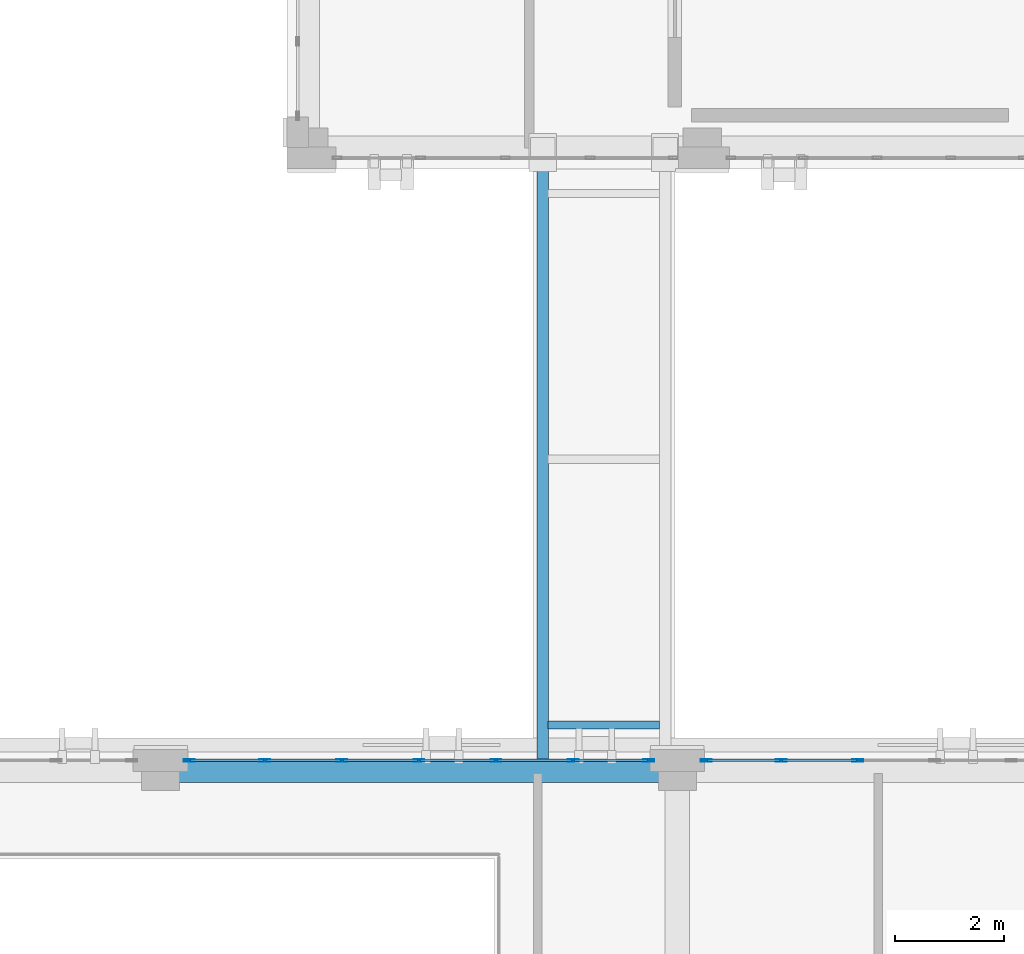
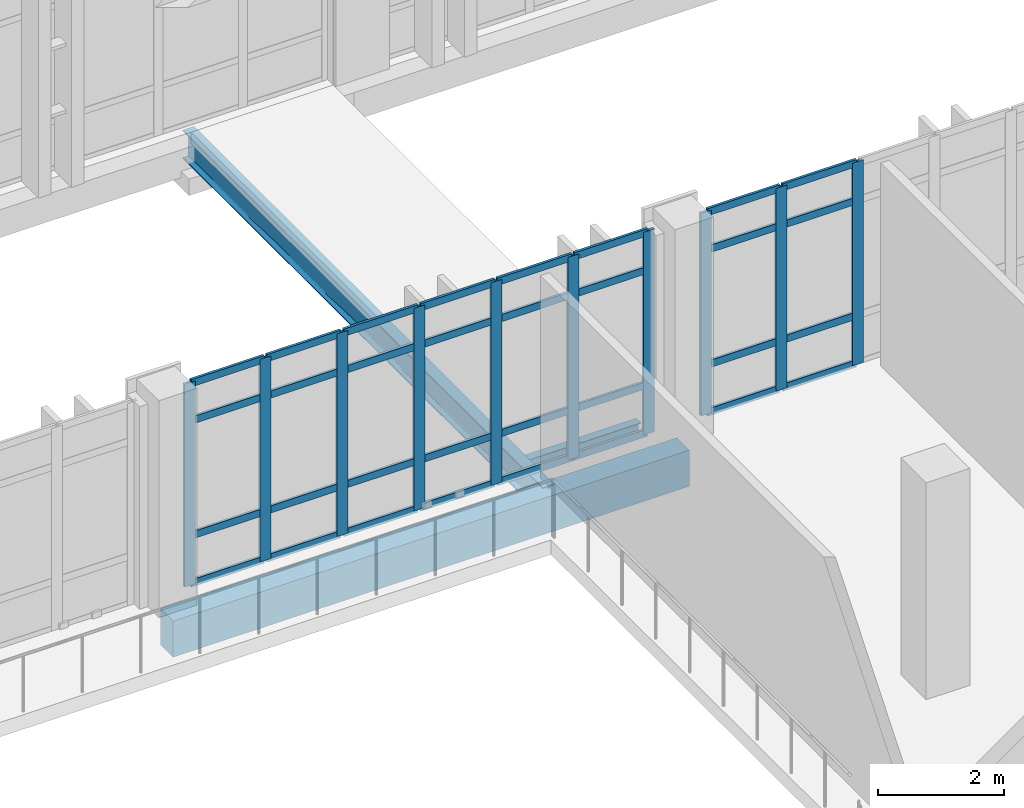
# One storey, part 50 of 158: 42 members, 3 beams, 2 elements without a shape of their own.
"""IFC4 building model written with IfcOpenShell, lengths in metres."""

from ifc_helpers import new_model, si_unit, direction, frame, origin, origin_2d, place, context, subcontext, project, spatial, rectangle, hollow_rectangle, i_section, extrude, material, layer, layer_set, material_profile, profile_set, type_object, element, aggregate, save


model = new_model("IFC4")

# Units and contexts
model_context = context("Model", 3, precision=1e-05, world=origin(), true_north=direction((0.0, 1.0)))
body_context = subcontext(model_context, "Body", "Model", "MODEL_VIEW")
ifc_project = project(units=[si_unit("LENGTHUNIT", "METRE"), si_unit("AREAUNIT", "SQUARE_METRE"), si_unit("VOLUMEUNIT", "CUBIC_METRE"), si_unit("PLANEANGLEUNIT", "RADIAN"), si_unit("MASSUNIT", "GRAM", prefix="KILO")], contexts=[model_context])

# Site, building, storey
site_placement = place(None, origin())
site = spatial("IfcSite", under=ifc_project, at=site_placement, CompositionType="ELEMENT")
building_placement = place(site_placement, origin())
building = spatial("IfcBuilding", under=site, at=building_placement, Name="Qalavern Law Courts", CompositionType="ELEMENT")
storey_placement = place(building_placement, frame((0.0, 0.0, 18.60009765625)))
storey = spatial("IfcBuildingStorey", under=building, at=storey_placement, Name="L04", CompositionType="ELEMENT", Elevation=18.60009765625)

# Curtain wall, members
ifc_material_1 = material(Name="Anodised aluminium and insulated glazing", Category="aluminium")
ifc_layer = layer(ifc_material_1, 0.18505859375)
ifc_layer_set = layer_set([ifc_layer], Name="Anodised aluminium and insulated glazing")
curtain_wall_type = type_object("IfcCurtainWallType", Name="ENV-CW-HALL", PredefinedType="USERDEFINED", material=ifc_layer_set)
curtain_wall_1_placement = place(storey_placement, origin())
curtain_wall_1 = element("IfcCurtainWall", 1, at=curtain_wall_1_placement, inside=storey, type_object=curtain_wall_type, Name="V2 unitised curtain wall L04 north 1", ObjectType="UNITISED CURTAIN WALL", PredefinedType="USERDEFINED")
ifc_material_2 = material(Name="Anodised aluminium", Category="aluminium")
ifc_material_profile_1 = material_profile(ifc_material_2, hollow_rectangle(XDim=0.048095703125, YDim=0.199951171875, WallThickness=0.00439453125, at=origin_2d()), Name="ALU MULLION 48x200")
ifc_profile_set_1 = profile_set([ifc_material_profile_1], Name="Anodised aluminium")
member_type_1 = type_object("IfcMemberType", Name="ENV-CWM-48x200", PredefinedType="MULLION", material=ifc_profile_set_1)
member_1_placement = place(storey_placement, frame((94.648681640625, 30.199951171875, 0.0), z_axis=(0.0, 0.0, 1.0), x_axis=(0.0, -1.0, 0.0)))
member_1 = element("IfcMember", 2, at=member_1_placement, type_object=member_type_1, Name="CW-02 mullion 5", PredefinedType="MULLION", context=body_context, shape_type="SweptSolid", body=[
    extrude(hollow_rectangle(XDim=0.048095703125, YDim=0.199951171875, WallThickness=0.00439453125, at=origin_2d()), origin(), (0.0, 0.0, 1.0), 3.9248046875),
])
member_2_placement = place(storey_placement, frame((93.247314453125, 30.199951171875, 0.0), z_axis=(0.0, 0.0, 1.0), x_axis=(0.0, -1.0, 0.0)))
member_2 = element("IfcMember", 3, at=member_2_placement, type_object=member_type_1, Name="CW-02 mullion 6", PredefinedType="MULLION", context=body_context, shape_type="SweptSolid", body=[
    extrude(hollow_rectangle(XDim=0.048095703125, YDim=0.199951171875, WallThickness=0.00439453125, at=origin_2d()), origin(), (0.0, 0.0, 1.0), 3.9248046875),
])
member_3_placement = place(storey_placement, frame((91.86962890625, 30.199951171875, 0.0), z_axis=(0.0, 0.0, 1.0), x_axis=(0.0, -1.0, 0.0)))
member_3 = element("IfcMember", 4, at=member_3_placement, type_object=member_type_1, Name="CW-02 mullion 7", PredefinedType="MULLION", context=body_context, shape_type="SweptSolid", body=[
    extrude(hollow_rectangle(XDim=0.048095703125, YDim=0.199951171875, WallThickness=0.00439453125, at=origin_2d()), origin(), (0.0, 0.0, 1.0), 3.9248046875),
])

curtain_wall_2_placement = place(storey_placement, origin())
curtain_wall_2 = element("IfcCurtainWall", 5, at=curtain_wall_2_placement, inside=storey, type_object=curtain_wall_type, Name="V2 unitised curtain wall L04 north 2", ObjectType="UNITISED CURTAIN WALL", PredefinedType="USERDEFINED")
member_4_placement = place(storey_placement, frame((90.82177734375, 30.199951171875, 0.0), z_axis=(0.0, 0.0, 1.0), x_axis=(0.0, -1.0, 0.0)))
member_4 = element("IfcMember", 6, at=member_4_placement, type_object=member_type_1, Name="CW-02 mullion 1", PredefinedType="MULLION", context=body_context, shape_type="SweptSolid", body=[
    extrude(hollow_rectangle(XDim=0.048095703125, YDim=0.199951171875, WallThickness=0.00439453125, at=origin_2d()), origin(), (0.0, 0.0, 1.0), 3.9248046875),
])
member_5_placement = place(storey_placement, frame((89.436767578125, 30.199951171875, 0.0), z_axis=(0.0, 0.0, 1.0), x_axis=(0.0, -1.0, 0.0)))
member_5 = element("IfcMember", 7, at=member_5_placement, type_object=member_type_1, Name="CW-02 mullion 2", PredefinedType="MULLION", context=body_context, shape_type="SweptSolid", body=[
    extrude(hollow_rectangle(XDim=0.048095703125, YDim=0.199951171875, WallThickness=0.00439453125, at=origin_2d()), origin(), (0.0, 0.0, 1.0), 3.9248046875),
])
member_6_placement = place(storey_placement, frame((88.027587890625, 30.199951171875, 0.0), z_axis=(0.0, 0.0, 1.0), x_axis=(0.0, -1.0, 0.0)))
member_6 = element("IfcMember", 8, at=member_6_placement, type_object=member_type_1, Name="CW-02 mullion 3", PredefinedType="MULLION", context=body_context, shape_type="SweptSolid", body=[
    extrude(hollow_rectangle(XDim=0.048095703125, YDim=0.199951171875, WallThickness=0.00439453125, at=origin_2d()), origin(), (0.0, 0.0, 1.0), 3.9248046875),
])
member_7_placement = place(storey_placement, frame((86.61865234375, 30.199951171875, 0.0), z_axis=(0.0, 0.0, 1.0), x_axis=(0.0, -1.0, 0.0)))
member_7 = element("IfcMember", 9, at=member_7_placement, type_object=member_type_1, Name="CW-02 mullion 4", PredefinedType="MULLION", context=body_context, shape_type="SweptSolid", body=[
    extrude(hollow_rectangle(XDim=0.048095703125, YDim=0.199951171875, WallThickness=0.00439453125, at=origin_2d()), origin(), (0.0, 0.0, 1.0), 3.9248046875),
])
member_8_placement = place(storey_placement, frame((85.20947265625, 30.199951171875, 0.0), z_axis=(0.0, 0.0, 1.0), x_axis=(0.0, -1.0, 0.0)))
member_8 = element("IfcMember", 10, at=member_8_placement, type_object=member_type_1, Name="CW-02 mullion 5", PredefinedType="MULLION", context=body_context, shape_type="SweptSolid", body=[
    extrude(hollow_rectangle(XDim=0.048095703125, YDim=0.199951171875, WallThickness=0.00439453125, at=origin_2d()), origin(), (0.0, 0.0, 1.0), 3.9248046875),
])
member_9_placement = place(storey_placement, frame((83.800537109375, 30.199951171875, 0.0), z_axis=(0.0, 0.0, 1.0), x_axis=(0.0, -1.0, 0.0)))
member_9 = element("IfcMember", 11, at=member_9_placement, type_object=member_type_1, Name="CW-02 mullion 6", PredefinedType="MULLION", context=body_context, shape_type="SweptSolid", body=[
    extrude(hollow_rectangle(XDim=0.048095703125, YDim=0.199951171875, WallThickness=0.00439453125, at=origin_2d()), origin(), (0.0, 0.0, 1.0), 3.9248046875),
])
member_10_placement = place(storey_placement, frame((82.415283203125, 30.199951171875, 0.0), z_axis=(0.0, 0.0, 1.0), x_axis=(0.0, -1.0, 0.0)))
member_10 = element("IfcMember", 12, at=member_10_placement, type_object=member_type_1, Name="CW-02 mullion 7", PredefinedType="MULLION", context=body_context, shape_type="SweptSolid", body=[
    extrude(hollow_rectangle(XDim=0.048095703125, YDim=0.199951171875, WallThickness=0.00439453125, at=origin_2d()), origin(), (0.0, 0.0, 1.0), 3.9248046875),
])

# Member
ifc_material_profile_2 = material_profile(ifc_material_2, hollow_rectangle(XDim=0.048095703125, YDim=0.139892578125, WallThickness=0.00390625, at=origin_2d()), Name="ALU TRANSOM 48x140")
ifc_profile_set_2 = profile_set([ifc_material_profile_2], Name="Anodised aluminium")
member_type_2 = type_object("IfcMemberType", Name="ENV-CWT-48x140", PredefinedType="USERDEFINED", material=ifc_profile_set_2)
member_11_placement = place(storey_placement, frame((94.624755859375, 30.199951171875, 0.02392578125), z_axis=(-1.0, 0.0, 0.0), x_axis=(0.0, -1.0, 0.0)))
member_11 = element("IfcMember", 13, at=member_11_placement, type_object=member_type_2, Name="CW-02 transom 5.1", ObjectType="TRANSOM", PredefinedType="USERDEFINED", context=body_context, shape_type="SweptSolid", body=[
    extrude(hollow_rectangle(XDim=0.048095703125, YDim=0.139892578125, WallThickness=0.00390625, at=origin_2d()), origin(), (0.0, 0.0, 1.0), 1.353515625),
])

member_12_placement = place(storey_placement, frame((94.624755859375, 30.199951171875, 0.949951171875), z_axis=(-1.0, 0.0, 0.0), x_axis=(0.0, -1.0, 0.0)))
member_12 = element("IfcMember", 14, at=member_12_placement, type_object=member_type_2, Name="CW-02 transom 5.2", ObjectType="TRANSOM", PredefinedType="USERDEFINED", context=body_context, shape_type="SweptSolid", body=[
    extrude(hollow_rectangle(XDim=0.048095703125, YDim=0.139892578125, WallThickness=0.00390625, at=origin_2d()), origin(), (0.0, 0.0, 1.0), 1.353515625),
])

member_13_placement = place(storey_placement, frame((94.624755859375, 30.199951171875, 3.1748046875), z_axis=(-1.0, 0.0, 0.0), x_axis=(0.0, -1.0, 0.0)))
member_13 = element("IfcMember", 15, at=member_13_placement, type_object=member_type_2, Name="CW-02 transom 5.3", ObjectType="TRANSOM", PredefinedType="USERDEFINED", context=body_context, shape_type="SweptSolid", body=[
    extrude(hollow_rectangle(XDim=0.048095703125, YDim=0.139892578125, WallThickness=0.00390625, at=origin_2d()), origin(), (0.0, 0.0, 1.0), 1.353515625),
])

member_14_placement = place(storey_placement, frame((94.624755859375, 30.199951171875, 3.90087890625), z_axis=(-1.0, 0.0, 0.0), x_axis=(0.0, -1.0, 0.0)))
member_14 = element("IfcMember", 16, at=member_14_placement, type_object=member_type_2, Name="CW-02 transom 5.4", ObjectType="TRANSOM", PredefinedType="USERDEFINED", context=body_context, shape_type="SweptSolid", body=[
    extrude(hollow_rectangle(XDim=0.048095703125, YDim=0.139892578125, WallThickness=0.00390625, at=origin_2d()), origin(), (0.0, 0.0, 1.0), 1.353515625),
])

member_15_placement = place(storey_placement, frame((93.22314453125, 30.199951171875, 0.02392578125), z_axis=(-1.0, 0.0, 0.0), x_axis=(0.0, -1.0, 0.0)))
member_15 = element("IfcMember", 17, at=member_15_placement, type_object=member_type_2, Name="CW-02 transom 6.1", ObjectType="TRANSOM", PredefinedType="USERDEFINED", context=body_context, shape_type="SweptSolid", body=[
    extrude(hollow_rectangle(XDim=0.048095703125, YDim=0.139892578125, WallThickness=0.00390625, at=origin_2d()), origin(), (0.0, 0.0, 1.0), 1.329345703125),
])

member_16_placement = place(storey_placement, frame((93.22314453125, 30.199951171875, 0.949951171875), z_axis=(-1.0, 0.0, 0.0), x_axis=(0.0, -1.0, 0.0)))
member_16 = element("IfcMember", 18, at=member_16_placement, type_object=member_type_2, Name="CW-02 transom 6.2", ObjectType="TRANSOM", PredefinedType="USERDEFINED", context=body_context, shape_type="SweptSolid", body=[
    extrude(hollow_rectangle(XDim=0.048095703125, YDim=0.139892578125, WallThickness=0.00390625, at=origin_2d()), origin(), (0.0, 0.0, 1.0), 1.329345703125),
])

member_17_placement = place(storey_placement, frame((93.22314453125, 30.199951171875, 3.1748046875), z_axis=(-1.0, 0.0, 0.0), x_axis=(0.0, -1.0, 0.0)))
member_17 = element("IfcMember", 19, at=member_17_placement, type_object=member_type_2, Name="CW-02 transom 6.3", ObjectType="TRANSOM", PredefinedType="USERDEFINED", context=body_context, shape_type="SweptSolid", body=[
    extrude(hollow_rectangle(XDim=0.048095703125, YDim=0.139892578125, WallThickness=0.00390625, at=origin_2d()), origin(), (0.0, 0.0, 1.0), 1.329345703125),
])

member_18_placement = place(storey_placement, frame((93.22314453125, 30.199951171875, 3.90087890625), z_axis=(-1.0, 0.0, 0.0), x_axis=(0.0, -1.0, 0.0)))
member_18 = element("IfcMember", 20, at=member_18_placement, type_object=member_type_2, Name="CW-02 transom 6.4", ObjectType="TRANSOM", PredefinedType="USERDEFINED", context=body_context, shape_type="SweptSolid", body=[
    extrude(hollow_rectangle(XDim=0.048095703125, YDim=0.139892578125, WallThickness=0.00390625, at=origin_2d()), origin(), (0.0, 0.0, 1.0), 1.329345703125),
])

aggregate(curtain_wall_1, [member_1, member_2, member_3, member_11, member_12, member_13, member_14, member_15, member_16, member_17, member_18])

member_19_placement = place(storey_placement, frame((90.797607421875, 30.199951171875, 0.02392578125), z_axis=(-1.0, 0.0, 0.0), x_axis=(0.0, -1.0, 0.0)))
member_19 = element("IfcMember", 21, at=member_19_placement, type_object=member_type_2, Name="CW-02 transom 1.1", ObjectType="TRANSOM", PredefinedType="USERDEFINED", context=body_context, shape_type="SweptSolid", body=[
    extrude(hollow_rectangle(XDim=0.048095703125, YDim=0.139892578125, WallThickness=0.00390625, at=origin_2d()), origin(), (0.0, 0.0, 1.0), 1.3369140625),
])

member_20_placement = place(storey_placement, frame((90.797607421875, 30.199951171875, 0.949951171875), z_axis=(-1.0, 0.0, 0.0), x_axis=(0.0, -1.0, 0.0)))
member_20 = element("IfcMember", 22, at=member_20_placement, type_object=member_type_2, Name="CW-02 transom 1.2", ObjectType="TRANSOM", PredefinedType="USERDEFINED", context=body_context, shape_type="SweptSolid", body=[
    extrude(hollow_rectangle(XDim=0.048095703125, YDim=0.139892578125, WallThickness=0.00390625, at=origin_2d()), origin(), (0.0, 0.0, 1.0), 1.3369140625),
])

member_21_placement = place(storey_placement, frame((90.797607421875, 30.199951171875, 3.1748046875), z_axis=(-1.0, 0.0, 0.0), x_axis=(0.0, -1.0, 0.0)))
member_21 = element("IfcMember", 23, at=member_21_placement, type_object=member_type_2, Name="CW-02 transom 1.3", ObjectType="TRANSOM", PredefinedType="USERDEFINED", context=body_context, shape_type="SweptSolid", body=[
    extrude(hollow_rectangle(XDim=0.048095703125, YDim=0.139892578125, WallThickness=0.00390625, at=origin_2d()), origin(), (0.0, 0.0, 1.0), 1.3369140625),
])

member_22_placement = place(storey_placement, frame((90.797607421875, 30.199951171875, 3.90087890625), z_axis=(-1.0, 0.0, 0.0), x_axis=(0.0, -1.0, 0.0)))
member_22 = element("IfcMember", 24, at=member_22_placement, type_object=member_type_2, Name="CW-02 transom 1.4", ObjectType="TRANSOM", PredefinedType="USERDEFINED", context=body_context, shape_type="SweptSolid", body=[
    extrude(hollow_rectangle(XDim=0.048095703125, YDim=0.139892578125, WallThickness=0.00390625, at=origin_2d()), origin(), (0.0, 0.0, 1.0), 1.3369140625),
])

member_23_placement = place(storey_placement, frame((89.41259765625, 30.199951171875, 0.02392578125), z_axis=(-1.0, 0.0, 0.0), x_axis=(0.0, -1.0, 0.0)))
member_23 = element("IfcMember", 25, at=member_23_placement, type_object=member_type_2, Name="CW-02 transom 2.1", ObjectType="TRANSOM", PredefinedType="USERDEFINED", context=body_context, shape_type="SweptSolid", body=[
    extrude(hollow_rectangle(XDim=0.048095703125, YDim=0.139892578125, WallThickness=0.00390625, at=origin_2d()), origin(), (0.0, 0.0, 1.0), 1.361083984375),
])

member_24_placement = place(storey_placement, frame((89.41259765625, 30.199951171875, 0.949951171875), z_axis=(-1.0, 0.0, 0.0), x_axis=(0.0, -1.0, 0.0)))
member_24 = element("IfcMember", 26, at=member_24_placement, type_object=member_type_2, Name="CW-02 transom 2.2", ObjectType="TRANSOM", PredefinedType="USERDEFINED", context=body_context, shape_type="SweptSolid", body=[
    extrude(hollow_rectangle(XDim=0.048095703125, YDim=0.139892578125, WallThickness=0.00390625, at=origin_2d()), origin(), (0.0, 0.0, 1.0), 1.361083984375),
])

member_25_placement = place(storey_placement, frame((89.41259765625, 30.199951171875, 3.1748046875), z_axis=(-1.0, 0.0, 0.0), x_axis=(0.0, -1.0, 0.0)))
member_25 = element("IfcMember", 27, at=member_25_placement, type_object=member_type_2, Name="CW-02 transom 2.3", ObjectType="TRANSOM", PredefinedType="USERDEFINED", context=body_context, shape_type="SweptSolid", body=[
    extrude(hollow_rectangle(XDim=0.048095703125, YDim=0.139892578125, WallThickness=0.00390625, at=origin_2d()), origin(), (0.0, 0.0, 1.0), 1.361083984375),
])

member_26_placement = place(storey_placement, frame((89.41259765625, 30.199951171875, 3.90087890625), z_axis=(-1.0, 0.0, 0.0), x_axis=(0.0, -1.0, 0.0)))
member_26 = element("IfcMember", 28, at=member_26_placement, type_object=member_type_2, Name="CW-02 transom 2.4", ObjectType="TRANSOM", PredefinedType="USERDEFINED", context=body_context, shape_type="SweptSolid", body=[
    extrude(hollow_rectangle(XDim=0.048095703125, YDim=0.139892578125, WallThickness=0.00390625, at=origin_2d()), origin(), (0.0, 0.0, 1.0), 1.361083984375),
])

member_27_placement = place(storey_placement, frame((88.003662109375, 30.199951171875, 0.02392578125), z_axis=(-1.0, 0.0, 0.0), x_axis=(0.0, -1.0, 0.0)))
member_27 = element("IfcMember", 29, at=member_27_placement, type_object=member_type_2, Name="CW-02 transom 3.1", ObjectType="TRANSOM", PredefinedType="USERDEFINED", context=body_context, shape_type="SweptSolid", body=[
    extrude(hollow_rectangle(XDim=0.048095703125, YDim=0.139892578125, WallThickness=0.00390625, at=origin_2d()), origin(), (0.0, 0.0, 1.0), 1.361083984375),
])

member_28_placement = place(storey_placement, frame((88.003662109375, 30.199951171875, 0.949951171875), z_axis=(-1.0, 0.0, 0.0), x_axis=(0.0, -1.0, 0.0)))
member_28 = element("IfcMember", 30, at=member_28_placement, type_object=member_type_2, Name="CW-02 transom 3.2", ObjectType="TRANSOM", PredefinedType="USERDEFINED", context=body_context, shape_type="SweptSolid", body=[
    extrude(hollow_rectangle(XDim=0.048095703125, YDim=0.139892578125, WallThickness=0.00390625, at=origin_2d()), origin(), (0.0, 0.0, 1.0), 1.361083984375),
])

member_29_placement = place(storey_placement, frame((88.003662109375, 30.199951171875, 3.1748046875), z_axis=(-1.0, 0.0, 0.0), x_axis=(0.0, -1.0, 0.0)))
member_29 = element("IfcMember", 31, at=member_29_placement, type_object=member_type_2, Name="CW-02 transom 3.3", ObjectType="TRANSOM", PredefinedType="USERDEFINED", context=body_context, shape_type="SweptSolid", body=[
    extrude(hollow_rectangle(XDim=0.048095703125, YDim=0.139892578125, WallThickness=0.00390625, at=origin_2d()), origin(), (0.0, 0.0, 1.0), 1.361083984375),
])

member_30_placement = place(storey_placement, frame((88.003662109375, 30.199951171875, 3.90087890625), z_axis=(-1.0, 0.0, 0.0), x_axis=(0.0, -1.0, 0.0)))
member_30 = element("IfcMember", 32, at=member_30_placement, type_object=member_type_2, Name="CW-02 transom 3.4", ObjectType="TRANSOM", PredefinedType="USERDEFINED", context=body_context, shape_type="SweptSolid", body=[
    extrude(hollow_rectangle(XDim=0.048095703125, YDim=0.139892578125, WallThickness=0.00390625, at=origin_2d()), origin(), (0.0, 0.0, 1.0), 1.361083984375),
])

member_31_placement = place(storey_placement, frame((86.594482421875, 30.199951171875, 0.02392578125), z_axis=(-1.0, 0.0, 0.0), x_axis=(0.0, -1.0, 0.0)))
member_31 = element("IfcMember", 33, at=member_31_placement, type_object=member_type_2, Name="CW-02 transom 4.1", ObjectType="TRANSOM", PredefinedType="USERDEFINED", context=body_context, shape_type="SweptSolid", body=[
    extrude(hollow_rectangle(XDim=0.048095703125, YDim=0.139892578125, WallThickness=0.00390625, at=origin_2d()), origin(), (0.0, 0.0, 1.0), 1.361083984375),
])

member_32_placement = place(storey_placement, frame((86.594482421875, 30.199951171875, 0.949951171875), z_axis=(-1.0, 0.0, 0.0), x_axis=(0.0, -1.0, 0.0)))
member_32 = element("IfcMember", 34, at=member_32_placement, type_object=member_type_2, Name="CW-02 transom 4.2", ObjectType="TRANSOM", PredefinedType="USERDEFINED", context=body_context, shape_type="SweptSolid", body=[
    extrude(hollow_rectangle(XDim=0.048095703125, YDim=0.139892578125, WallThickness=0.00390625, at=origin_2d()), origin(), (0.0, 0.0, 1.0), 1.361083984375),
])

member_33_placement = place(storey_placement, frame((86.594482421875, 30.199951171875, 3.1748046875), z_axis=(-1.0, 0.0, 0.0), x_axis=(0.0, -1.0, 0.0)))
member_33 = element("IfcMember", 35, at=member_33_placement, type_object=member_type_2, Name="CW-02 transom 4.3", ObjectType="TRANSOM", PredefinedType="USERDEFINED", context=body_context, shape_type="SweptSolid", body=[
    extrude(hollow_rectangle(XDim=0.048095703125, YDim=0.139892578125, WallThickness=0.00390625, at=origin_2d()), origin(), (0.0, 0.0, 1.0), 1.361083984375),
])

member_34_placement = place(storey_placement, frame((86.594482421875, 30.199951171875, 3.90087890625), z_axis=(-1.0, 0.0, 0.0), x_axis=(0.0, -1.0, 0.0)))
member_34 = element("IfcMember", 36, at=member_34_placement, type_object=member_type_2, Name="CW-02 transom 4.4", ObjectType="TRANSOM", PredefinedType="USERDEFINED", context=body_context, shape_type="SweptSolid", body=[
    extrude(hollow_rectangle(XDim=0.048095703125, YDim=0.139892578125, WallThickness=0.00390625, at=origin_2d()), origin(), (0.0, 0.0, 1.0), 1.361083984375),
])

member_35_placement = place(storey_placement, frame((85.185546875, 30.199951171875, 0.02392578125), z_axis=(-1.0, 0.0, 0.0), x_axis=(0.0, -1.0, 0.0)))
member_35 = element("IfcMember", 37, at=member_35_placement, type_object=member_type_2, Name="CW-02 transom 5.1", ObjectType="TRANSOM", PredefinedType="USERDEFINED", context=body_context, shape_type="SweptSolid", body=[
    extrude(hollow_rectangle(XDim=0.048095703125, YDim=0.139892578125, WallThickness=0.00390625, at=origin_2d()), origin(), (0.0, 0.0, 1.0), 1.361083984375),
])

member_36_placement = place(storey_placement, frame((85.185546875, 30.199951171875, 0.949951171875), z_axis=(-1.0, 0.0, 0.0), x_axis=(0.0, -1.0, 0.0)))
member_36 = element("IfcMember", 38, at=member_36_placement, type_object=member_type_2, Name="CW-02 transom 5.2", ObjectType="TRANSOM", PredefinedType="USERDEFINED", context=body_context, shape_type="SweptSolid", body=[
    extrude(hollow_rectangle(XDim=0.048095703125, YDim=0.139892578125, WallThickness=0.00390625, at=origin_2d()), origin(), (0.0, 0.0, 1.0), 1.361083984375),
])

member_37_placement = place(storey_placement, frame((85.185546875, 30.199951171875, 3.1748046875), z_axis=(-1.0, 0.0, 0.0), x_axis=(0.0, -1.0, 0.0)))
member_37 = element("IfcMember", 39, at=member_37_placement, type_object=member_type_2, Name="CW-02 transom 5.3", ObjectType="TRANSOM", PredefinedType="USERDEFINED", context=body_context, shape_type="SweptSolid", body=[
    extrude(hollow_rectangle(XDim=0.048095703125, YDim=0.139892578125, WallThickness=0.00390625, at=origin_2d()), origin(), (0.0, 0.0, 1.0), 1.361083984375),
])

member_38_placement = place(storey_placement, frame((85.185546875, 30.199951171875, 3.90087890625), z_axis=(-1.0, 0.0, 0.0), x_axis=(0.0, -1.0, 0.0)))
member_38 = element("IfcMember", 40, at=member_38_placement, type_object=member_type_2, Name="CW-02 transom 5.4", ObjectType="TRANSOM", PredefinedType="USERDEFINED", context=body_context, shape_type="SweptSolid", body=[
    extrude(hollow_rectangle(XDim=0.048095703125, YDim=0.139892578125, WallThickness=0.00390625, at=origin_2d()), origin(), (0.0, 0.0, 1.0), 1.361083984375),
])

member_39_placement = place(storey_placement, frame((83.7763671875, 30.199951171875, 0.02392578125), z_axis=(-1.0, 0.0, 0.0), x_axis=(0.0, -1.0, 0.0)))
member_39 = element("IfcMember", 41, at=member_39_placement, type_object=member_type_2, Name="CW-02 transom 6.1", ObjectType="TRANSOM", PredefinedType="USERDEFINED", context=body_context, shape_type="SweptSolid", body=[
    extrude(hollow_rectangle(XDim=0.048095703125, YDim=0.139892578125, WallThickness=0.00390625, at=origin_2d()), origin(), (0.0, 0.0, 1.0), 1.3369140625),
])

member_40_placement = place(storey_placement, frame((83.7763671875, 30.199951171875, 0.949951171875), z_axis=(-1.0, 0.0, 0.0), x_axis=(0.0, -1.0, 0.0)))
member_40 = element("IfcMember", 42, at=member_40_placement, type_object=member_type_2, Name="CW-02 transom 6.2", ObjectType="TRANSOM", PredefinedType="USERDEFINED", context=body_context, shape_type="SweptSolid", body=[
    extrude(hollow_rectangle(XDim=0.048095703125, YDim=0.139892578125, WallThickness=0.00390625, at=origin_2d()), origin(), (0.0, 0.0, 1.0), 1.3369140625),
])

member_41_placement = place(storey_placement, frame((83.7763671875, 30.199951171875, 3.1748046875), z_axis=(-1.0, 0.0, 0.0), x_axis=(0.0, -1.0, 0.0)))
member_41 = element("IfcMember", 43, at=member_41_placement, type_object=member_type_2, Name="CW-02 transom 6.3", ObjectType="TRANSOM", PredefinedType="USERDEFINED", context=body_context, shape_type="SweptSolid", body=[
    extrude(hollow_rectangle(XDim=0.048095703125, YDim=0.139892578125, WallThickness=0.00390625, at=origin_2d()), origin(), (0.0, 0.0, 1.0), 1.3369140625),
])

member_42_placement = place(storey_placement, frame((83.7763671875, 30.199951171875, 3.90087890625), z_axis=(-1.0, 0.0, 0.0), x_axis=(0.0, -1.0, 0.0)))
member_42 = element("IfcMember", 44, at=member_42_placement, type_object=member_type_2, Name="CW-02 transom 6.4", ObjectType="TRANSOM", PredefinedType="USERDEFINED", context=body_context, shape_type="SweptSolid", body=[
    extrude(hollow_rectangle(XDim=0.048095703125, YDim=0.139892578125, WallThickness=0.00390625, at=origin_2d()), origin(), (0.0, 0.0, 1.0), 1.3369140625),
])

aggregate(curtain_wall_2, [member_4, member_5, member_6, member_7, member_8, member_9, member_10, member_19, member_20, member_21, member_22, member_23, member_24, member_25, member_26, member_27, member_28, member_29, member_30, member_31, member_32, member_33, member_34, member_35, member_36, member_37, member_38, member_39, member_40, member_41, member_42])

# Beams
ifc_material_3 = material(Name="Steel S355", Category="steel")
ifc_material_profile_3 = material_profile(ifc_material_3, i_section(OverallWidth=0.2099609375, OverallDepth=0.550048828125, WebThickness=0.010986328125, FlangeThickness=0.01708984375, FilletRadius=0.02392578125, at=origin_2d()), Name="IPE 550")
ifc_profile_set_3 = profile_set([ifc_material_profile_3], Name="Steel S355")
beam_type_1 = type_object("IfcBeamType", Name="STR-BM-IPE550", PredefinedType="BEAM", material=ifc_profile_set_3)
beam_1_placement = place(storey_placement, frame((88.8798828125, 30.0, -0.503173828125), z_axis=(0.0, 1.0, 0.0), x_axis=(-1.0, 0.0, 0.0)))
element("IfcBeam", 45, at=beam_1_placement, inside=storey, type_object=beam_type_1, Name="Bridge BR-V2-V4 edge girder 1 L04", PredefinedType="BEAM", context=body_context, shape_type="SweptSolid", body=[
    extrude(i_section(OverallWidth=0.2099609375, OverallDepth=0.550048828125, WebThickness=0.010986328125, FlangeThickness=0.01708984375, FilletRadius=0.02392578125, at=origin_2d()), origin(), (0.0, 0.0, 1.0), 11.419921875),
])
ifc_material_profile_4 = material_profile(ifc_material_3, i_section(OverallWidth=0.14990234375, OverallDepth=0.300048828125, WebThickness=0.007080078125, FlangeThickness=0.0107421875, FilletRadius=0.014892578125, at=origin_2d()), Name="IPE 300")
ifc_profile_set_4 = profile_set([ifc_material_profile_4], Name="Steel S355")
beam_type_2 = type_object("IfcBeamType", Name="STR-JST-IPE300", PredefinedType="JOIST", material=ifc_profile_set_4)
beam_2_placement = place(storey_placement, frame((88.97998046875, 30.85009765625, -0.378173828125), z_axis=(1.0, 0.0, 0.0), x_axis=(0.0, 1.0, 0.0)))
element("IfcBeam", 46, at=beam_2_placement, inside=storey, type_object=beam_type_2, Name="Bridge BR-V2-V4 cross beam 1 L04", PredefinedType="JOIST", context=body_context, shape_type="SweptSolid", body=[
    extrude(i_section(OverallWidth=0.14990234375, OverallDepth=0.300048828125, WebThickness=0.007080078125, FlangeThickness=0.0107421875, FilletRadius=0.014892578125, at=origin_2d()), origin(), (0.0, 0.0, 1.0), 2.0400390625),
])
ifc_material_4 = material(Name="Concrete C40/50", Category="concrete")
ifc_material_profile_5 = material_profile(ifc_material_4, rectangle(XDim=0.39990234375, YDim=0.699951171875, at=origin_2d()), Name="RC 400x700")
ifc_profile_set_5 = profile_set([ifc_material_profile_5], Name="Concrete C40/50")
beam_type_3 = type_object("IfcBeamType", Name="STR-SP-RC400x700", PredefinedType="SPANDREL", material=ifc_profile_set_5)
beam_3_placement = place(storey_placement, frame((81.891357421875, 30.0, -0.630126953125), z_axis=(1.0, 0.0, 0.0), x_axis=(0.0, 1.0, 0.0)))
element("IfcBeam", 47, at=beam_3_placement, inside=storey, type_object=beam_type_3, Name="V2 X-beam 4-6 L04", PredefinedType="SPANDREL", context=body_context, shape_type="SweptSolid", body=[
    extrude(rectangle(XDim=0.39990234375, YDim=0.699951171875, at=origin_2d()), origin(), (0.0, 0.0, 1.0), 9.454345703125),
])

save(model, "model.ifc")
